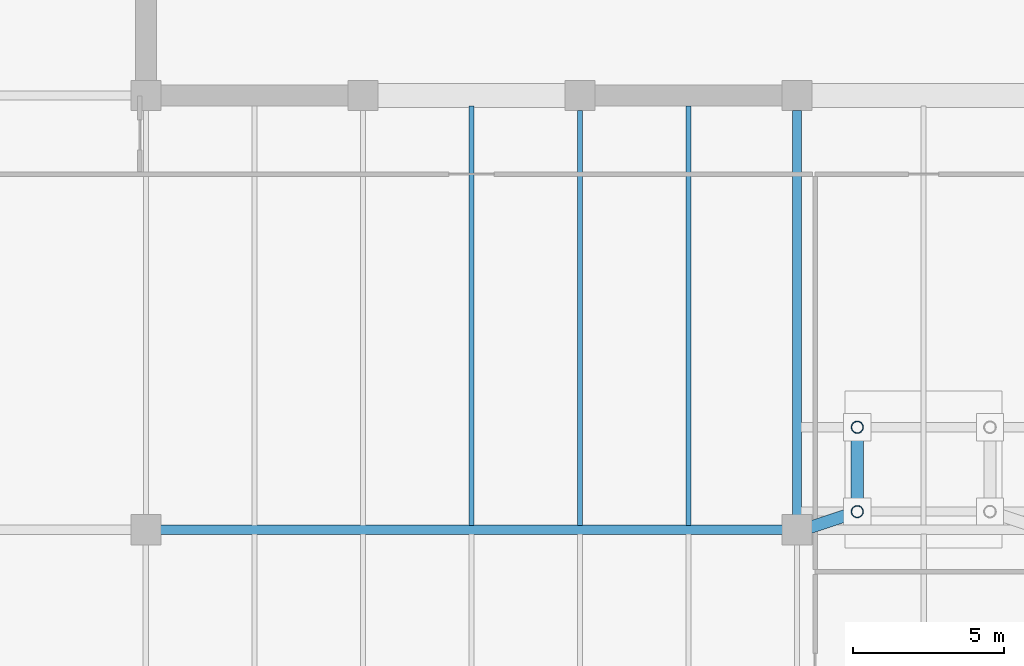
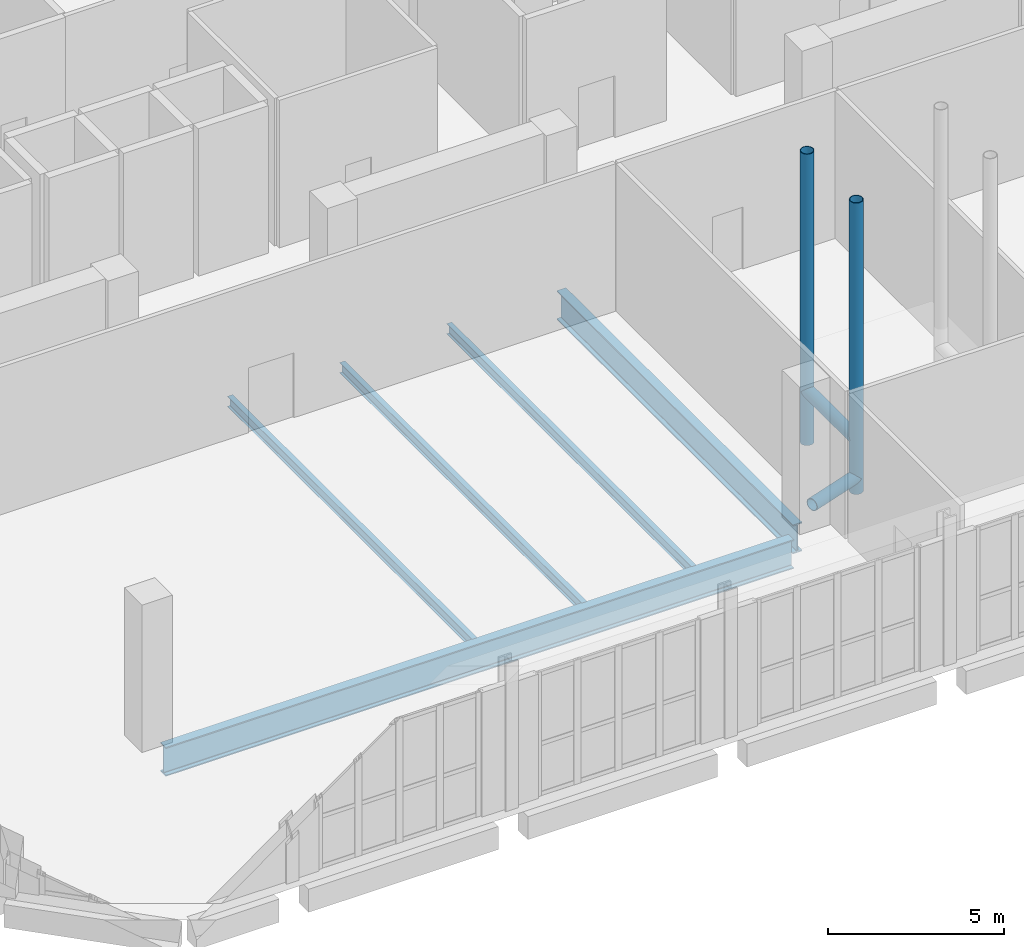
# One storey, part 5 of 26: 5 beams, 4 members.
"""IFC4 building model written with IfcOpenShell, lengths in metres."""

from ifc_helpers import new_model, si_unit, direction, frame, origin, origin_2d, place, context, subcontext, project, spatial, hollow_circle, i_section, extrude, material, material_profile, profile_set, type_object, element, save


model = new_model("IFC4")

# Units and contexts
model_context = context("Model", 3, precision=1e-05, world=origin(), true_north=direction((0.0, 1.0)))
body_context = subcontext(model_context, "Body", "Model", "MODEL_VIEW")
ifc_project = project(units=[si_unit("LENGTHUNIT", "METRE"), si_unit("AREAUNIT", "SQUARE_METRE"), si_unit("VOLUMEUNIT", "CUBIC_METRE"), si_unit("PLANEANGLEUNIT", "RADIAN"), si_unit("MASSUNIT", "GRAM", prefix="KILO")], contexts=[model_context])

# Site, building, storey
site_placement = place(None, origin())
site = spatial("IfcSite", under=ifc_project, at=site_placement, CompositionType="ELEMENT")
building_placement = place(site_placement, origin())
building = spatial("IfcBuilding", under=site, at=building_placement, Name="Kaelvorn Grand Hotel", CompositionType="ELEMENT")
storey_placement = place(building_placement, frame((0.0, 0.0, 294.699951171875)))
storey = spatial("IfcBuildingStorey", under=building, at=storey_placement, Name="L72", CompositionType="ELEMENT", Elevation=294.699951171875)

# Beams
ifc_material_1 = material(Name="Steel S460", Category="steel")
ifc_material_profile_1 = material_profile(ifc_material_1, i_section(OverallWidth=0.302001953125, OverallDepth=1.008056640625, WebThickness=0.02099609375, FlangeThickness=0.0400390625, FilletRadius=0.024169921875, at=origin_2d()), Name="UB 1016x305x349")
ifc_profile_set_1 = profile_set([ifc_material_profile_1], Name="Steel S460")
beam_type_1 = type_object("IfcBeamType", Name="BM-G-UB1016-S460", PredefinedType="BEAM", material=ifc_profile_set_1)
beam_1_placement = place(storey_placement, frame((16.68505859375, 15.0, -0.884033203125), z_axis=(1.0, 0.0, 0.0), x_axis=(0.0, 1.0, 0.0)))
element("IfcBeam", 1, at=beam_1_placement, inside=storey, type_object=beam_type_1, Name="L72 Primary Spine Steel Girder G-15 02", PredefinedType="BEAM", context=body_context, shape_type="SweptSolid", body=[
    extrude(i_section(OverallWidth=0.302001953125, OverallDepth=1.008056640625, WebThickness=0.02099609375, FlangeThickness=0.0400390625, FilletRadius=0.024169921875, at=origin_2d()), origin(), (0.0, 0.0, 1.0), 20.6298828125),
])
beam_2_placement = place(storey_placement, frame((37.800048828125, 15.485107421875, -0.884033203125), z_axis=(0.0, 1.0, 0.0), x_axis=(-1.0, 0.0, 0.0)))
element("IfcBeam", 2, at=beam_2_placement, inside=storey, type_object=beam_type_1, Name="L72 TMD Frame Girder N1 01", PredefinedType="BEAM", context=body_context, shape_type="SweptSolid", body=[
    extrude(i_section(OverallWidth=0.302001953125, OverallDepth=1.008056640625, WebThickness=0.02099609375, FlangeThickness=0.0400390625, FilletRadius=0.024169921875, at=origin_2d()), origin(), (0.0, 0.0, 1.0), 13.429931640625),
])
ifc_material_2 = material(Name="Steel S355", Category="steel")
ifc_material_profile_2 = material_profile(ifc_material_2, i_section(OverallWidth=0.169921875, OverallDepth=0.360107421875, WebThickness=0.008056640625, FlangeThickness=0.0126953125, FilletRadius=0.01806640625, at=origin_2d()), Name="IPE 360")
ifc_profile_set_2 = profile_set([ifc_material_profile_2], Name="Steel S355")
beam_type_2 = type_object("IfcBeamType", Name="BM-J-IPE360-S355", PredefinedType="JOIST", material=ifc_profile_set_2)
beam_3_placement = place(storey_placement, frame((27.0, 15.135986328125, -0.56005859375), z_axis=(0.0, 1.0, 0.0), x_axis=(-1.0, 0.0, 0.0)))
element("IfcBeam", 3, at=beam_3_placement, inside=storey, type_object=beam_type_2, Name="L72 Composite Floor Joist JM-08", PredefinedType="JOIST", context=body_context, shape_type="SweptSolid", body=[
    extrude(i_section(OverallWidth=0.169921875, OverallDepth=0.360107421875, WebThickness=0.008056640625, FlangeThickness=0.0126953125, FilletRadius=0.01806640625, at=origin_2d()), origin(), (0.0, 0.0, 1.0), 13.924072265625),
])
beam_4_placement = place(storey_placement, frame((30.60009765625, 15.135986328125, -0.56005859375), z_axis=(0.0, 1.0, 0.0), x_axis=(-1.0, 0.0, 0.0)))
element("IfcBeam", 4, at=beam_4_placement, inside=storey, type_object=beam_type_2, Name="L72 Composite Floor Joist JM-09", PredefinedType="JOIST", context=body_context, shape_type="SweptSolid", body=[
    extrude(i_section(OverallWidth=0.169921875, OverallDepth=0.360107421875, WebThickness=0.008056640625, FlangeThickness=0.0126953125, FilletRadius=0.01806640625, at=origin_2d()), origin(), (0.0, 0.0, 1.0), 13.779052734375),
])
beam_5_placement = place(storey_placement, frame((34.199951171875, 15.135986328125, -0.56005859375), z_axis=(0.0, 1.0, 0.0), x_axis=(-1.0, 0.0, 0.0)))
element("IfcBeam", 5, at=beam_5_placement, inside=storey, type_object=beam_type_2, Name="L72 Composite Floor Joist JM-10", PredefinedType="JOIST", context=body_context, shape_type="SweptSolid", body=[
    extrude(i_section(OverallWidth=0.169921875, OverallDepth=0.360107421875, WebThickness=0.008056640625, FlangeThickness=0.0126953125, FilletRadius=0.01806640625, at=origin_2d()), origin(), (0.0, 0.0, 1.0), 13.924072265625),
])

# Members
ifc_material_profile_3 = material_profile(ifc_material_1, hollow_circle(Radius=0.203125, WallThickness=0.02001953125, at=origin_2d()), Name="CHS 406.4x20.0")
ifc_profile_set_3 = profile_set([ifc_material_profile_3], Name="Steel S460")
member_type = type_object("IfcMemberType", Name="MB-TMD-STRUT-CHS406", PredefinedType="STRUT", material=ifc_profile_set_3)
for number, where, z_axis, x_axis, name in (
    (6, (39.800048828125, 15.60009765625, 0.0), (0.0, 0.0, 1.0), (1.0, 0.0, 0.0), "L72 Tuned Mass Damper Strut Guide Post 1"),
    (7, (39.800048828125, 18.39990234375, 0.0), (0.0, 0.0, 1.0), (1.0, 0.0, 0.0), "L72 Tuned Mass Damper Strut Guide Post 3"),
):
    element("IfcMember", number, at=place(storey_placement, frame(where, z_axis=z_axis, x_axis=x_axis)), inside=storey, type_object=member_type, Name=name, PredefinedType="STRUT", context=body_context, shape_type="SweptSolid", body=[
        extrude(hollow_circle(Radius=0.203125, WallThickness=0.02001953125, at=origin_2d()), origin(), (0.0, 0.0, 1.0), 10.1201171875),
    ])
member_1_placement = place(storey_placement, frame((38.0, 15.0, 0.5), z_axis=(0.948670430448, 0.316266366207, 0.0), x_axis=(-0.316266366207, 0.948670430448, 0.0)))
element("IfcMember", 8, at=member_1_placement, inside=storey, type_object=member_type, Name="L72 Tuned Mass Damper Strut Bumper 1", PredefinedType="STRUT", context=body_context, shape_type="SweptSolid", body=[
    extrude(hollow_circle(Radius=0.203125, WallThickness=0.02001953125, at=origin_2d()), origin(), (0.0, 0.0, 1.0), 1.8974609375),
])
member_2_placement = place(storey_placement, frame((39.800048828125, 15.60009765625, 1.800048828125), z_axis=(0.0, 1.0, 0.0), x_axis=(-1.0, 0.0, 0.0)))
element("IfcMember", 9, at=member_2_placement, inside=storey, type_object=member_type, Name="L72 Tuned Mass Damper Strut Bumper 3", PredefinedType="STRUT", context=body_context, shape_type="SweptSolid", body=[
    extrude(hollow_circle(Radius=0.203125, WallThickness=0.02001953125, at=origin_2d()), origin(), (0.0, 0.0, 1.0), 2.7998046875),
])

save(model, "model.ifc")
